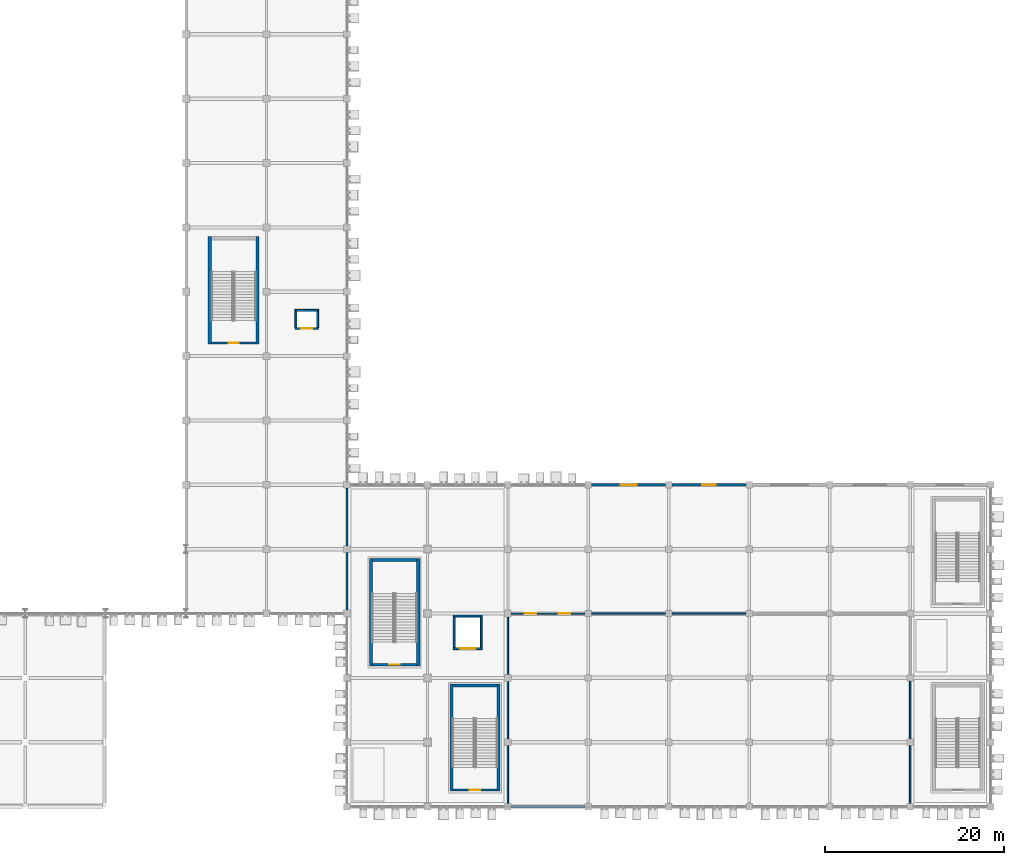
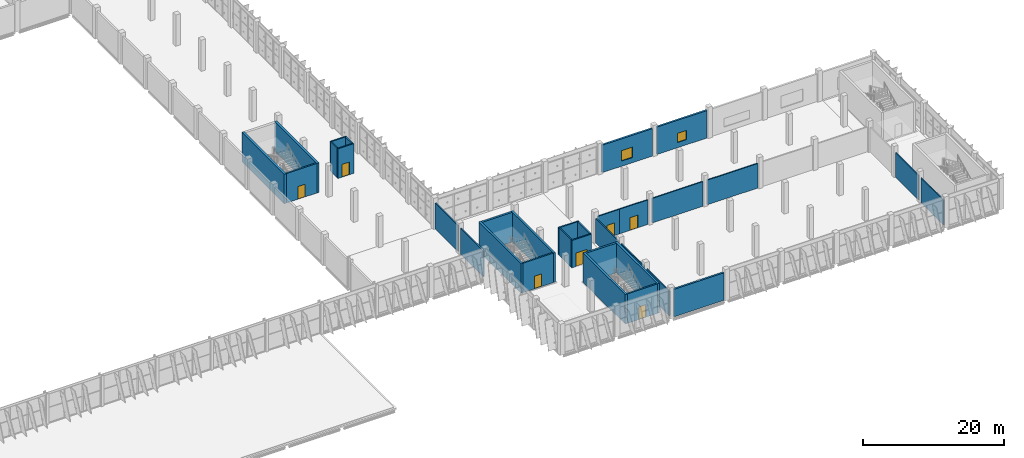
# One storey, part 135 of 189: 33 walls, 7 doors, 2 windows, 9 openings.
"""IFC4 building model written with IfcOpenShell, lengths in metres."""

import ifcopenshell
import ifcopenshell.guid

model = None  # the IFC model being written
_history = None  # IfcOwnerHistory: only IFC2X3 demands one
_inside = {}  # id of a spatial element -> (the spatial element, [elements in it])
_under = {}  # id of a project, library or spatial element -> (it, [spatial elements below it])
_declared = {}  # id of a project -> (the project, [libraries it declares])
_typed = {}  # id of a type object -> (the type object, [elements of that type])
_made_of = {}  # id of a material, layer set ... -> (it, [elements and type objects made of it])


def new_model(schema):
    """Start an empty IFC model of exactly this schema.

    Asked for "IFC4X3", IfcOpenShell would pick the latest addendum, in which some entities
    have other attributes; the version numbers below select the first issue.
    IFC2X3 requires an IfcOwnerHistory on every rooted entity: one is made here for all.
    """
    global model, _history
    if schema == "IFC4X3":
        model = ifcopenshell.file(schema_version=(4, 3, 0, 0))
    else:
        model = ifcopenshell.file(schema=schema)
    _inside.clear()
    _under.clear()
    _declared.clear()
    _typed.clear()
    _made_of.clear()
    _history = None
    if model.schema == "IFC2X3":
        org = make("IfcOrganization", Name="unknown")
        user = make(
            "IfcPersonAndOrganization",
            ThePerson=make("IfcPerson", FamilyName="unknown"),
            TheOrganization=org,
        )
        app = make(
            "IfcApplication",
            ApplicationDeveloper=org,
            Version="unknown",
            ApplicationFullName="unknown",
            ApplicationIdentifier="unknown",
        )
        _history = make(
            "IfcOwnerHistory",
            OwningUser=user,
            OwningApplication=app,
            ChangeAction="ADDED",
            CreationDate=0,
        )
    return model


def make(cls, **values):
    """One entity of the class cls with the attributes given. An attribute that is None is left unset."""
    return model.create_entity(
        cls, **{name: value for name, value in values.items() if value is not None}
    )


def rooted(cls, **values):
    """An entity with a GlobalId (a new one), such as an element, a storey or a relation."""
    return make(cls, GlobalId=ifcopenshell.guid.new(), OwnerHistory=_history, **values)


def si_unit(unit_type, name, prefix=None):
    """IfcSIUnit, for example si_unit("LENGTHUNIT", "METRE", prefix="MILLI")."""
    return make("IfcSIUnit", UnitType=unit_type, Prefix=prefix, Name=name)


def assignment(units):
    """IfcUnitAssignment: the units of a project."""
    return None if units is None else make("IfcUnitAssignment", Units=units)


def point(xyz):
    """IfcCartesianPoint."""
    return None if xyz is None else make("IfcCartesianPoint", Coordinates=xyz)


def direction(xyz):
    """IfcDirection."""
    return None if xyz is None else make("IfcDirection", DirectionRatios=xyz)


def frame(location, z_axis=None, x_axis=None):
    """IfcAxis2Placement3D, a coordinate frame: its origin and axes. An axis left out is left unset."""
    return make(
        "IfcAxis2Placement3D",
        Location=point(location),
        Axis=direction(z_axis),
        RefDirection=direction(x_axis),
    )


def frame_2d(location, x_axis=None):
    """IfcAxis2Placement2D, a coordinate frame in the plane: its origin and x axis."""
    return make(
        "IfcAxis2Placement2D", Location=point(location), RefDirection=direction(x_axis)
    )


def origin():
    """The frame at (0, 0, 0) with its axes left unset."""
    return frame((0.0, 0.0, 0.0))


def place(relative_to, where):
    """IfcLocalPlacement: puts the frame where relative to a parent placement (None: the world)."""
    return make(
        "IfcLocalPlacement", PlacementRelTo=relative_to, RelativePlacement=where
    )


def context(
    kind, dimensions, precision=None, world=None, true_north=None, identifier=None
):
    """IfcGeometricRepresentationContext, for example the 3D "Model" context."""
    return make(
        "IfcGeometricRepresentationContext",
        ContextIdentifier=identifier,
        ContextType=kind,
        CoordinateSpaceDimension=dimensions,
        Precision=precision,
        WorldCoordinateSystem=world,
        TrueNorth=true_north,
    )


def subcontext(parent, identifier, kind, view, scale=None):
    """IfcGeometricRepresentationSubContext, for example "Body" below "Model"."""
    return make(
        "IfcGeometricRepresentationSubContext",
        ContextIdentifier=identifier,
        ContextType=kind,
        ParentContext=parent,
        TargetScale=scale,
        TargetView=view,
    )


def project(units=None, contexts=None):
    """IfcProject with its units and contexts."""
    return rooted(
        "IfcProject",
        Name="project",
        RepresentationContexts=contexts,
        UnitsInContext=assignment(units),
    )


def spatial(cls, under=None, at=None, **own):
    """A site, building, storey or space (cls), placed at a placement, below another one or the project."""
    s = rooted(cls, ObjectPlacement=at, **own)
    if under is not None:
        _under.setdefault(under.id(), (under, []))[1].append(s)
    return s


def profile(cls, at=None, kind="AREA", **sizes):
    """A parametric profile (cls). Its sizes go by their IFC names, for example OverallWidth=200.0."""
    return make(cls, ProfileType=kind, Position=at, **sizes)


def rectangle(**sizes):
    """IfcRectangleProfileDef."""
    return profile("IfcRectangleProfileDef", **sizes)


def extrude(swept, where, along, depth):
    """IfcExtrudedAreaSolid: the profile swept, set in the frame where, extruded along a direction by depth."""
    return make(
        "IfcExtrudedAreaSolid",
        SweptArea=swept,
        Position=where,
        ExtrudedDirection=direction(along),
        Depth=depth,
    )


def shape(context_of_items, identifier, shape_type, items):
    """IfcShapeRepresentation: the items that make up one representation, for example the "Body"."""
    return make(
        "IfcShapeRepresentation",
        ContextOfItems=context_of_items,
        RepresentationIdentifier=identifier,
        RepresentationType=shape_type,
        Items=items,
    )


def material(Name=None, Category=None):
    """IfcMaterial."""
    return make("IfcMaterial", Name=Name, Category=Category)


def layer(
    of_material, thickness, ventilated=None, Name=None, Category=None, Priority=None
):
    """IfcMaterialLayer: one layer of a wall or slab, of a material (None: an air gap)."""
    return make(
        "IfcMaterialLayer",
        Material=of_material,
        LayerThickness=thickness,
        IsVentilated=ventilated,
        Name=Name,
        Category=Category,
        Priority=Priority,
    )


def layer_set(layers, Name=None):
    """IfcMaterialLayerSet."""
    return make("IfcMaterialLayerSet", MaterialLayers=layers, LayerSetName=Name)


def made_of(thing, what):
    """Note that an element or type object is made of a material, layer set ...; save() writes the relation."""
    if what is not None:
        _made_of.setdefault(what.id(), (what, []))[1].append(thing)
    return thing


def type_object(cls, material=None, **own):
    """A type object (cls), such as IfcWallType, which elements share."""
    return made_of(rooted(cls, **own), material)


def element(
    cls,
    number,
    at=None,
    inside=None,
    cuts=None,
    type_object=None,
    material=None,
    context=None,
    identifier="Body",
    shape_type=None,
    held_by="IfcProductDefinitionShape",
    body=None,
    shapes=None,
    **own,
):
    """One element of the class cls, such as IfcWall. Its Tag is "e" and its number.

    at: its placement. inside: the storey or other place that contains it. cuts: it is an
    opening in that element (IfcRelVoidsElement). A single representation is given by context,
    identifier, shape_type and body (its items); several are given by shapes. held_by: the class
    of the entity that holds the representations. save() writes the other relations.
    """
    e = rooted(cls, Tag="e%d" % number, ObjectPlacement=at, **own)
    if body is not None:
        shapes = [shape(context, identifier, shape_type, body)]
    if shapes is not None:
        e.Representation = make(held_by, Representations=shapes)
    if inside is not None:
        _inside.setdefault(inside.id(), (inside, []))[1].append(e)
    if cuts is not None:
        rooted(
            "IfcRelVoidsElement", RelatingBuildingElement=cuts, RelatedOpeningElement=e
        )
    if type_object is not None:
        _typed.setdefault(type_object.id(), (type_object, []))[1].append(e)
    return made_of(e, material)


def fill(opening, filler):
    """IfcRelFillsElement: the door or window that sits in an opening."""
    return rooted(
        "IfcRelFillsElement",
        RelatingOpeningElement=opening,
        RelatedBuildingElement=filler,
    )


def aggregate(whole, parts):
    """IfcRelAggregates: a whole, such as a stair, and the parts it consists of."""
    return rooted("IfcRelAggregates", RelatingObject=whole, RelatedObjects=parts)


def save(model, path):
    """Write the relations noted so far, then the file.

    IfcRelAggregates (storeys below a building ...), IfcRelContainedInSpatialStructure (elements
    in a storey), IfcRelDefinesByType, IfcRelAssociatesMaterial and IfcRelDeclares: one each for
    every whole, place, type object, material and project.
    """
    for whole, parts in _under.values():
        aggregate(whole, parts)
    for where, things in _inside.values():
        rooted(
            "IfcRelContainedInSpatialStructure",
            RelatedElements=things,
            RelatingStructure=where,
        )
    for kind, things in _typed.values():
        rooted("IfcRelDefinesByType", RelatedObjects=things, RelatingType=kind)
    for what, things in _made_of.values():
        rooted("IfcRelAssociatesMaterial", RelatedObjects=things, RelatingMaterial=what)
    for by, libraries in _declared.values():
        rooted("IfcRelDeclares", RelatingContext=by, RelatedDefinitions=libraries)
    model.write(path)


model = new_model("IFC4")

# Units and contexts
model_context = context("Model", 3, precision=1e-05, world=origin(), true_north=direction((0.0, 1.0)))
body_context = subcontext(model_context, "Body", "Model", "MODEL_VIEW")
ifc_project = project(units=[si_unit("LENGTHUNIT", "METRE"), si_unit("AREAUNIT", "SQUARE_METRE"), si_unit("VOLUMEUNIT", "CUBIC_METRE"), si_unit("PLANEANGLEUNIT", "RADIAN"), si_unit("MASSUNIT", "GRAM", prefix="KILO")], contexts=[model_context])

# Site, building, storey
site_placement = place(None, origin())
site = spatial("IfcSite", under=ifc_project, at=site_placement, CompositionType="ELEMENT")
building_placement = place(site_placement, origin())
building = spatial("IfcBuilding", under=site, at=building_placement, Name="Celestram Park Convention Centre", CompositionType="ELEMENT")
storey_placement = place(building_placement, frame((0.0, 0.0, 5.39990234375)))
storey = spatial("IfcBuildingStorey", under=building, at=storey_placement, Name="L01", CompositionType="ELEMENT", Elevation=5.39990234375)

# Walls
ifc_material_1 = material(Name="Double-Stud Acoustic Gypsum Assembly", Category="gypsum")
ifc_layer_1 = layer(ifc_material_1, 0.199951171875)
ifc_layer_set_1 = layer_set([ifc_layer_1], Name="Double-Stud Acoustic Gypsum Assembly")
wall_type_1 = type_object("IfcWallType", Name="ARC-WL-ACO200", PredefinedType="PARTITIONING", material=ifc_layer_set_1)
wall_1_placement = place(storey_placement, frame((144.0, 21.972900390625, 0.0), z_axis=(0.0, 0.0, 1.0), x_axis=(0.0, 1.0, 0.0)))
element("IfcWall", 1, at=wall_1_placement, inside=storey, type_object=wall_type_1, Name="Interior partition WL-L01-IN0771", PredefinedType="PARTITIONING", context=body_context, shape_type="SweptSolid", body=[
    extrude(rectangle(XDim=6.4541015625, YDim=0.199951171875, at=frame_2d((3.22705078125, 0.0))), origin(), (0.0, 0.0, 1.0), 4.508056640625),
])
wall_2_placement = place(storey_placement, frame((144.0, 29.173095703125, 0.0), z_axis=(0.0, 0.0, 1.0), x_axis=(0.0, 1.0, 0.0)))
element("IfcWall", 2, at=wall_2_placement, inside=storey, type_object=wall_type_1, Name="Interior partition WL-L01-IN0772", PredefinedType="PARTITIONING", context=body_context, shape_type="SweptSolid", body=[
    extrude(rectangle(XDim=6.453857421875, YDim=0.199951171875, at=frame_2d((3.22705078125, 0.0))), origin(), (0.0, 0.0, 1.0), 4.508056640625),
])

# Wall, opening, door
ifc_material_2 = material(Name="Concrete Block Masonry C25/30", Category="masonry")
ifc_layer_2 = layer(ifc_material_2, 0.25)
ifc_layer_set_2 = layer_set([ifc_layer_2], Name="Concrete Block Masonry C25/30")
wall_type_2 = type_object("IfcWallType", Name="ARC-WL-COR250", PredefinedType="STANDARD", material=ifc_layer_set_2)
wall_3_placement = place(storey_placement, frame((128.840087890625, 51.875, 0.0), z_axis=(0.0, 0.0, 1.0), x_axis=(1.0, 0.0, 0.0)))
wall_3 = element("IfcWall", 3, at=wall_3_placement, inside=storey, type_object=wall_type_2, Name="Core C4 stair entrance wall", PredefinedType="STANDARD", context=body_context, shape_type="SweptSolid", body=[
    extrude(rectangle(XDim=4.9599609375, YDim=0.25, at=frame_2d((2.47998046875, 0.0))), origin(), (0.0, 0.0, 1.0), 5.1201171875),
])
opening_1_placement = place(wall_3_placement, frame((1.905029296875, 0.0, 0.0)))
opening_1 = element("IfcOpeningElement", 4, at=opening_1_placement, cuts=wall_3, Name="Opening D-ST1", PredefinedType="OPENING", context=body_context, shape_type="SweptSolid", body=[
    extrude(rectangle(XDim=1.14990234375, YDim=2.199951171875, at=frame_2d((0.574951171875, 1.10009765625))), frame((0.0, 0.135009765625, 0.0), z_axis=(0.0, -1.0, 0.0), x_axis=(1.0, 0.0, 0.0)), (0.0, 0.0, 1.0), 0.27001953125),
])
ifc_material_3 = material(Name="Fire-Rated Hollow Metal Steel ASTM A653", Category="steel")
door_type_1 = type_object("IfcDoorType", Name="ARC-DR-ST115", OperationType="NOTDEFINED", PredefinedType="DOOR", material=ifc_material_3)
door_1_placement = place(opening_1_placement, origin())
door_1 = element("IfcDoor", 5, at=door_1_placement, inside=storey, type_object=door_type_1, Name="Exit stair ST-04 fire door", OperationType="SINGLE_SWING_LEFT", OverallHeight=2.199951171875, OverallWidth=1.14990234375, PredefinedType="DOOR", context=body_context, shape_type="SweptSolid", body=[
    extrude(rectangle(XDim=1.14990234375, YDim=2.199951171875, at=frame_2d((0.574951171875, 1.10009765625))), frame((0.0, 0.02490234375, 0.0), z_axis=(0.0, -1.0, 0.0), x_axis=(1.0, 0.0, 0.0)), (0.0, 0.0, 1.0), 0.050048828125),
])
fill(opening_1, door_1)

wall_4_placement = place(storey_placement, frame((146.840087890625, 15.875, 0.0), z_axis=(0.0, 0.0, 1.0), x_axis=(1.0, 0.0, 0.0)))
wall_4 = element("IfcWall", 6, at=wall_4_placement, inside=storey, type_object=wall_type_2, Name="Core C6 stair entrance wall", PredefinedType="STANDARD", context=body_context, shape_type="SweptSolid", body=[
    extrude(rectangle(XDim=4.9599609375, YDim=0.25, at=frame_2d((2.47998046875, 0.0))), origin(), (0.0, 0.0, 1.0), 5.1201171875),
])
opening_2_placement = place(wall_4_placement, frame((1.905029296875, 0.0, 0.0)))
opening_2 = element("IfcOpeningElement", 7, at=opening_2_placement, cuts=wall_4, Name="Opening D-ST1", PredefinedType="OPENING", context=body_context, shape_type="SweptSolid", body=[
    extrude(rectangle(XDim=1.14990234375, YDim=2.199951171875, at=frame_2d((0.574951171875, 1.10009765625))), frame((0.0, 0.135009765625, 0.0), z_axis=(0.0, -1.0, 0.0), x_axis=(1.0, 0.0, 0.0)), (0.0, 0.0, 1.0), 0.27001953125),
])
door_2_placement = place(opening_2_placement, origin())
door_2 = element("IfcDoor", 8, at=door_2_placement, inside=storey, type_object=door_type_1, Name="Exit stair ST-06 fire door", OperationType="SINGLE_SWING_LEFT", OverallHeight=2.199951171875, OverallWidth=1.14990234375, PredefinedType="DOOR", context=body_context, shape_type="SweptSolid", body=[
    extrude(rectangle(XDim=1.14990234375, YDim=2.199951171875, at=frame_2d((0.574951171875, 1.10009765625))), frame((0.0, 0.02490234375, 0.0), z_axis=(0.0, -1.0, 0.0), x_axis=(1.0, 0.0, 0.0)), (0.0, 0.0, 1.0), 0.050048828125),
])
fill(opening_2, door_2)

wall_5_placement = place(storey_placement, frame((155.840087890625, 1.875, 0.0), z_axis=(0.0, 0.0, 1.0), x_axis=(1.0, 0.0, 0.0)))
wall_5 = element("IfcWall", 9, at=wall_5_placement, inside=storey, type_object=wall_type_2, Name="Core S21 stair entrance wall", PredefinedType="STANDARD", context=body_context, shape_type="SweptSolid", body=[
    extrude(rectangle(XDim=4.9599609375, YDim=0.25, at=frame_2d((2.47998046875, 0.0))), origin(), (0.0, 0.0, 1.0), 5.1201171875),
])
opening_3_placement = place(wall_5_placement, frame((1.905029296875, 0.0, 0.0)))
opening_3 = element("IfcOpeningElement", 10, at=opening_3_placement, cuts=wall_5, Name="Opening D-ST1", PredefinedType="OPENING", context=body_context, shape_type="SweptSolid", body=[
    extrude(rectangle(XDim=1.14990234375, YDim=2.199951171875, at=frame_2d((0.574951171875, 1.10009765625))), frame((0.0, 0.135009765625, 0.0), z_axis=(0.0, -1.0, 0.0), x_axis=(1.0, 0.0, 0.0)), (0.0, 0.0, 1.0), 0.27001953125),
])
door_3_placement = place(opening_3_placement, origin())
door_3 = element("IfcDoor", 11, at=door_3_placement, inside=storey, type_object=door_type_1, Name="Exit stair ST-21 fire door", OperationType="SINGLE_SWING_LEFT", OverallHeight=2.199951171875, OverallWidth=1.14990234375, PredefinedType="DOOR", context=body_context, shape_type="SweptSolid", body=[
    extrude(rectangle(XDim=1.14990234375, YDim=2.199951171875, at=frame_2d((0.574951171875, 1.10009765625))), frame((0.0, 0.02490234375, 0.0), z_axis=(0.0, -1.0, 0.0), x_axis=(1.0, 0.0, 0.0)), (0.0, 0.0, 1.0), 0.050048828125),
])
fill(opening_3, door_3)

# Wall, opening, window
ifc_material_4 = material(Name="Precast Concrete C40/50", Category="concrete")
ifc_layer_3 = layer(ifc_material_4, 0.300048828125)
ifc_layer_set_3 = layer_set([ifc_layer_3], Name="Precast Concrete C40/50")
wall_type_3 = type_object("IfcWallType", Name="ARC-WL-EXT300", PredefinedType="STANDARD", material=ifc_layer_set_3)
wall_6_placement = place(storey_placement, frame((171.373046875, 36.0, 0.0), z_axis=(0.0, 0.0, 1.0), x_axis=(1.0, 0.0, 0.0)))
wall_6 = element("IfcWall", 12, at=wall_6_placement, inside=storey, type_object=wall_type_3, Name="Bush-hammered precast exterior wall WL-L01-EW113", PredefinedType="STANDARD", context=body_context, shape_type="SweptSolid", body=[
    extrude(rectangle(XDim=8.25390625, YDim=0.300048828125, at=frame_2d((4.126953125, 0.0))), origin(), (0.0, 0.0, 1.0), 4.76416015625),
])
opening_4_placement = place(wall_6_placement, frame((3.22705078125, 0.0, 0.89990234375)))
opening_4 = element("IfcOpeningElement", 13, at=opening_4_placement, cuts=wall_6, Name="Opening W-06", PredefinedType="OPENING", context=body_context, shape_type="SweptSolid", body=[
    extrude(rectangle(XDim=1.800048828125, YDim=1.800048828125, at=frame_2d((0.89990234375, 0.89990234375))), frame((0.0, 0.159912109375, 0.0), z_axis=(0.0, -1.0, 0.0), x_axis=(1.0, 0.0, 0.0)), (0.0, 0.0, 1.0), 0.320068359375),
])
ifc_material_5 = material(Name="Thermally Broken Aluminium & Triple Glazing", Category="aluminium")
window_type_1 = type_object("IfcWindowType", Name="ARC-WN-180X180", PartitioningType="SINGLE_PANEL", PredefinedType="WINDOW", material=ifc_material_5)
window_1_placement = place(opening_4_placement, origin())
window_1 = element("IfcWindow", 14, at=window_1_placement, inside=storey, type_object=window_type_1, Name="Punched exterior window WN-L01-030", OverallHeight=1.800048828125, OverallWidth=1.800048828125, PartitioningType="SINGLE_PANEL", PredefinedType="WINDOW", context=body_context, shape_type="SweptSolid", body=[
    extrude(rectangle(XDim=1.800048828125, YDim=1.800048828125, at=frame_2d((0.89990234375, 0.89990234375))), frame((0.0, 0.030029296875, 0.0), z_axis=(0.0, -1.0, 0.0), x_axis=(1.0, 0.0, 0.0)), (0.0, 0.0, 1.0), 0.06005859375),
])
fill(opening_4, window_1)

wall_7_placement = place(storey_placement, frame((180.373046875, 36.0, 0.0), z_axis=(0.0, 0.0, 1.0), x_axis=(1.0, 0.0, 0.0)))
wall_7 = element("IfcWall", 15, at=wall_7_placement, inside=storey, type_object=wall_type_3, Name="Bush-hammered precast exterior wall WL-L01-EW114", PredefinedType="STANDARD", context=body_context, shape_type="SweptSolid", body=[
    extrude(rectangle(XDim=8.25390625, YDim=0.300048828125, at=frame_2d((4.126953125, 0.0))), origin(), (0.0, 0.0, 1.0), 4.76416015625),
])
opening_5_placement = place(wall_7_placement, frame((3.376953125, 0.0, 0.89990234375)))
opening_5 = element("IfcOpeningElement", 16, at=opening_5_placement, cuts=wall_7, Name="Opening W-07", PredefinedType="OPENING", context=body_context, shape_type="SweptSolid", body=[
    extrude(rectangle(XDim=1.5, YDim=1.60009765625, at=frame_2d((0.75, 0.800048828125))), frame((0.0, 0.159912109375, 0.0), z_axis=(0.0, -1.0, 0.0), x_axis=(1.0, 0.0, 0.0)), (0.0, 0.0, 1.0), 0.320068359375),
])
window_type_2 = type_object("IfcWindowType", Name="ARC-WN-150X160", PartitioningType="SINGLE_PANEL", PredefinedType="WINDOW", material=ifc_material_5)
window_2_placement = place(opening_5_placement, origin())
window_2 = element("IfcWindow", 17, at=window_2_placement, inside=storey, type_object=window_type_2, Name="Punched exterior window WN-L01-031", OverallHeight=1.60009765625, OverallWidth=1.5, PartitioningType="SINGLE_PANEL", PredefinedType="WINDOW", context=body_context, shape_type="SweptSolid", body=[
    extrude(rectangle(XDim=1.5, YDim=1.60009765625, at=frame_2d((0.75, 0.800048828125))), frame((0.0, 0.030029296875, 0.0), z_axis=(0.0, -1.0, 0.0), x_axis=(1.0, 0.0, 0.0)), (0.0, 0.0, 1.0), 0.06005859375),
])
fill(opening_5, window_2)

# Wall
wall_8_placement = place(storey_placement, frame((170.626953125, 0.0, 0.0), z_axis=(0.0, 0.0, 1.0), x_axis=(-1.0, 0.0, 0.0)))
element("IfcWall", 18, at=wall_8_placement, inside=storey, type_object=wall_type_3, Name="Bush-hammered precast exterior wall WL-L01-EW118", PredefinedType="STANDARD", context=body_context, shape_type="SweptSolid", body=[
    extrude(rectangle(XDim=8.25390625, YDim=0.300048828125, at=frame_2d((4.126953125, 0.0))), origin(), (0.0, 0.0, 1.0), 4.76416015625),
])

# Wall, opening, door
ifc_material_6 = material(Name="Fire-Rated Gypsum & Steel Stud 180 mm", Category="steel")
ifc_layer_4 = layer(ifc_material_6, 0.179931640625)
ifc_layer_set_4 = layer_set([ifc_layer_4], Name="Fire-Rated Gypsum & Steel Stud 180 mm")
wall_type_4 = type_object("IfcWallType", Name="ARC-WL-PRT180", PredefinedType="PARTITIONING", material=ifc_layer_set_4)
wall_9_placement = place(storey_placement, frame((162.373046875, 21.60009765625, 0.0), z_axis=(0.0, 0.0, 1.0), x_axis=(1.0, 0.0, 0.0)))
wall_9 = element("IfcWall", 19, at=wall_9_placement, inside=storey, type_object=wall_type_4, Name="Interior partition WL-L01-IN0688", PredefinedType="PARTITIONING", context=body_context, shape_type="SweptSolid", body=[
    extrude(rectangle(XDim=3.626953125, YDim=0.179931640625, at=frame_2d((1.8134765625, 0.0))), origin(), (0.0, 0.0, 1.0), 4.26416015625),
])
opening_6_placement = place(wall_9_placement, frame((1.5126953125, 0.0, 0.0)))
opening_6 = element("IfcOpeningElement", 20, at=opening_6_placement, cuts=wall_9, Name="Opening D-10", PredefinedType="OPENING", context=body_context, shape_type="SweptSolid", body=[
    extrude(rectangle(XDim=1.300048828125, YDim=2.199951171875, at=frame_2d((0.64990234375, 1.10009765625))), frame((0.0, 0.099853515625, 0.0), z_axis=(0.0, -1.0, 0.0), x_axis=(1.0, 0.0, 0.0)), (0.0, 0.0, 1.0), 0.199951171875),
])
ifc_material_7 = material(Name="Hollow Metal Catering Service Door", Category="steel")
door_type_2 = type_object("IfcDoorType", Name="ARC-DR-SRV130", OperationType="NOTDEFINED", PredefinedType="DOOR", material=ifc_material_7)
door_4_placement = place(opening_6_placement, origin())
door_4 = element("IfcDoor", 21, at=door_4_placement, inside=storey, type_object=door_type_2, Name="Main Banquet Kitchen entrance door", OperationType="SINGLE_SWING_LEFT", OverallHeight=2.199951171875, OverallWidth=1.300048828125, PredefinedType="DOOR", context=body_context, shape_type="SweptSolid", body=[
    extrude(rectangle(XDim=1.300048828125, YDim=2.199951171875, at=frame_2d((0.64990234375, 1.10009765625))), frame((0.0, 0.02490234375, 0.0), z_axis=(0.0, -1.0, 0.0), x_axis=(1.0, 0.0, 0.0)), (0.0, 0.0, 1.0), 0.050048828125),
])
fill(opening_6, door_4)

wall_10_placement = place(storey_placement, frame((166.0, 21.60009765625, 0.0), z_axis=(0.0, 0.0, 1.0), x_axis=(1.0, 0.0, 0.0)))
wall_10 = element("IfcWall", 22, at=wall_10_placement, inside=storey, type_object=wall_type_4, Name="Interior partition WL-L01-IN0689", PredefinedType="PARTITIONING", context=body_context, shape_type="SweptSolid", body=[
    extrude(rectangle(XDim=4.652099609375, YDim=0.179931640625, at=frame_2d((2.326171875, 0.0))), origin(), (0.0, 0.0, 1.0), 4.26416015625),
])
opening_7_placement = place(wall_10_placement, frame((1.676025390625, 0.0, 0.0)))
opening_7 = element("IfcOpeningElement", 23, at=opening_7_placement, cuts=wall_10, Name="Opening D-10", PredefinedType="OPENING", context=body_context, shape_type="SweptSolid", body=[
    extrude(rectangle(XDim=1.300048828125, YDim=2.199951171875, at=frame_2d((0.64990234375, 1.10009765625))), frame((0.0, 0.099853515625, 0.0), z_axis=(0.0, -1.0, 0.0), x_axis=(1.0, 0.0, 0.0)), (0.0, 0.0, 1.0), 0.199951171875),
])
door_5_placement = place(opening_7_placement, origin())
door_5 = element("IfcDoor", 24, at=door_5_placement, inside=storey, type_object=door_type_2, Name="Main Banquet Kitchen entrance door", OperationType="SINGLE_SWING_RIGHT", OverallHeight=2.199951171875, OverallWidth=1.300048828125, PredefinedType="DOOR", context=body_context, shape_type="SweptSolid", body=[
    extrude(rectangle(XDim=1.300048828125, YDim=2.199951171875, at=frame_2d((0.64990234375, 1.10009765625))), frame((0.0, 0.02490234375, 0.0), z_axis=(0.0, -1.0, 0.0), x_axis=(1.0, 0.0, 0.0)), (0.0, 0.0, 1.0), 0.050048828125),
])
fill(opening_7, door_5)

# Walls
for number, where, z_axis, x_axis, name in (
    (25, (171.347900390625, 21.60009765625, 0.0), (0.0, 0.0, 1.0), (1.0, 0.0, 0.0), "Interior partition WL-L01-IN0690"),
    (26, (180.347900390625, 21.60009765625, 0.0), (0.0, 0.0, 1.0), (1.0, 0.0, 0.0), "Interior partition WL-L01-IN0691"),
):
    element("IfcWall", number, at=place(storey_placement, frame(where, z_axis=z_axis, x_axis=x_axis)), inside=storey, type_object=wall_type_4, Name=name, PredefinedType="PARTITIONING", context=body_context, shape_type="SweptSolid", body=[
        extrude(rectangle(XDim=8.30419921875, YDim=0.179931640625, at=frame_2d((4.152099609375, 0.0))), origin(), (0.0, 0.0, 1.0), 4.26416015625),
    ])
wall_11_placement = place(storey_placement, frame((162.0, 0.373046875, 0.0), z_axis=(0.0, 0.0, 1.0), x_axis=(0.0, 1.0, 0.0)))
element("IfcWall", 27, at=wall_11_placement, inside=storey, type_object=wall_type_4, Name="Interior partition WL-L01-IN0780", PredefinedType="PARTITIONING", context=body_context, shape_type="SweptSolid", body=[
    extrude(rectangle(XDim=6.453857421875, YDim=0.179931640625, at=frame_2d((3.22705078125, 0.0))), origin(), (0.0, 0.0, 1.0), 4.26416015625),
])
for number, where, z_axis, x_axis, name in (
    (28, (162.0, 7.572998046875, 0.0), (0.0, 0.0, 1.0), (0.0, 1.0, 0.0), "Interior partition WL-L01-IN0781"),
    (29, (162.0, 14.77294921875, 0.0), (0.0, 0.0, 1.0), (0.0, 1.0, 0.0), "Interior partition WL-L01-IN0782"),
):
    element("IfcWall", number, at=place(storey_placement, frame(where, z_axis=z_axis, x_axis=x_axis)), inside=storey, type_object=wall_type_4, Name=name, PredefinedType="PARTITIONING", context=body_context, shape_type="SweptSolid", body=[
        extrude(rectangle(XDim=6.4541015625, YDim=0.179931640625, at=frame_2d((3.22705078125, 0.0))), origin(), (0.0, 0.0, 1.0), 4.26416015625),
    ])
wall_12_placement = place(storey_placement, frame((207.0, 0.373046875, 0.0), z_axis=(0.0, 0.0, 1.0), x_axis=(0.0, 1.0, 0.0)))
element("IfcWall", 30, at=wall_12_placement, inside=storey, type_object=wall_type_4, Name="Interior partition WL-L01-IN0783", PredefinedType="PARTITIONING", context=body_context, shape_type="SweptSolid", body=[
    extrude(rectangle(XDim=6.47900390625, YDim=0.179931640625, at=frame_2d((3.239501953125, 0.0))), origin(), (0.0, 0.0, 1.0), 4.26416015625),
])
wall_13_placement = place(storey_placement, frame((207.0, 7.548095703125, 0.0), z_axis=(0.0, 0.0, 1.0), x_axis=(0.0, 1.0, 0.0)))
element("IfcWall", 31, at=wall_13_placement, inside=storey, type_object=wall_type_4, Name="Interior partition WL-L01-IN0784", PredefinedType="PARTITIONING", context=body_context, shape_type="SweptSolid", body=[
    extrude(rectangle(XDim=6.50390625, YDim=0.179931640625, at=frame_2d((3.251953125, 0.0))), origin(), (0.0, 0.0, 1.0), 4.26416015625),
])

# Wall, opening, door
ifc_layer_5 = layer(ifc_material_2, 0.219970703125)
ifc_layer_set_5 = layer_set([ifc_layer_5], Name="Concrete Block Masonry C25/30")
wall_type_5 = type_object("IfcWallType", Name="ARC-WL-SHF220", PredefinedType="STANDARD", material=ifc_layer_set_5)
wall_14_placement = place(storey_placement, frame((138.169921875, 53.47998046875, 0.0), z_axis=(0.0, 0.0, 1.0), x_axis=(1.0, 0.0, 0.0)))
wall_14 = element("IfcWall", 32, at=wall_14_placement, inside=storey, type_object=wall_type_5, Name="Lift LP-05 shaft wall S", PredefinedType="STANDARD", context=body_context, shape_type="SweptSolid", body=[
    extrude(rectangle(XDim=2.66015625, YDim=0.219970703125, at=frame_2d((1.330078125, 0.0))), origin(), (0.0, 0.0, 1.0), 5.1201171875),
])
opening_8_placement = place(wall_14_placement, frame((0.72998046875, 0.0, 0.0)))
opening_8 = element("IfcOpeningElement", 33, at=opening_8_placement, cuts=wall_14, Name="Opening LD-01", PredefinedType="OPENING", context=body_context, shape_type="SweptSolid", body=[
    extrude(rectangle(XDim=1.199951171875, YDim=2.199951171875, at=frame_2d((0.60009765625, 1.10009765625))), frame((0.0, 0.119873046875, 0.0), z_axis=(0.0, -1.0, 0.0), x_axis=(1.0, 0.0, 0.0)), (0.0, 0.0, 1.0), 0.239990234375),
])
ifc_material_8 = material(Name="Brushed Stainless Steel AISI 304", Category="steel")
door_type_3 = type_object("IfcDoorType", Name="ARC-DR-LFT120", OperationType="NOTDEFINED", PredefinedType="DOOR", material=ifc_material_8)
door_6_placement = place(opening_8_placement, origin())
door_6 = element("IfcDoor", 34, at=door_6_placement, inside=storey, type_object=door_type_3, Name="Lift LP-05 sliding landing door", OperationType="DOUBLE_DOOR_SLIDING", OverallHeight=2.199951171875, OverallWidth=1.199951171875, PredefinedType="DOOR", context=body_context, shape_type="SweptSolid", body=[
    extrude(rectangle(XDim=1.199951171875, YDim=2.199951171875, at=frame_2d((0.60009765625, 1.10009765625))), frame((0.0, 0.02490234375, 0.0), z_axis=(0.0, -1.0, 0.0), x_axis=(1.0, 0.0, 0.0)), (0.0, 0.0, 1.0), 0.050048828125),
])
fill(opening_8, door_6)

# Walls
wall_15_placement = place(storey_placement, frame((140.830078125, 55.52001953125, 0.0), z_axis=(0.0, 0.0, 1.0), x_axis=(-1.0, 0.0, 0.0)))
element("IfcWall", 35, at=wall_15_placement, inside=storey, type_object=wall_type_5, Name="Lift LP-05 shaft wall N", PredefinedType="STANDARD", context=body_context, shape_type="SweptSolid", body=[
    extrude(rectangle(XDim=2.66015625, YDim=0.219970703125, at=frame_2d((1.330078125, 0.0))), origin(), (0.0, 0.0, 1.0), 5.1201171875),
])
for number, where, z_axis, x_axis, name in (
    (36, (138.280029296875, 55.409912109375, 0.0), (0.0, 0.0, 1.0), (0.0, -1.0, 0.0), "Lift LP-05 shaft wall W"),
    (37, (140.719970703125, 53.590087890625, 0.0), (0.0, 0.0, 1.0), (0.0, 1.0, 0.0), "Lift LP-05 shaft wall E"),
):
    element("IfcWall", number, at=place(storey_placement, frame(where, z_axis=z_axis, x_axis=x_axis)), inside=storey, type_object=wall_type_5, Name=name, PredefinedType="STANDARD", context=body_context, shape_type="SweptSolid", body=[
        extrude(rectangle(XDim=1.81982421875, YDim=0.219970703125, at=frame_2d((0.909912109375, 0.0))), origin(), (0.0, 0.0, 1.0), 5.1201171875),
    ])

# Wall, opening, door
wall_16_placement = place(storey_placement, frame((155.8701171875, 17.679931640625, 0.0), z_axis=(0.0, 0.0, 1.0), x_axis=(1.0, 0.0, 0.0)))
wall_16 = element("IfcWall", 38, at=wall_16_placement, inside=storey, type_object=wall_type_5, Name="Lift LG-02 shaft wall S", PredefinedType="STANDARD", context=body_context, shape_type="SweptSolid", body=[
    extrude(rectangle(XDim=3.259765625, YDim=0.219970703125, at=frame_2d((1.6298828125, 0.0))), origin(), (0.0, 0.0, 1.0), 4.76416015625),
])
opening_9_placement = place(wall_16_placement, frame((0.72998046875, 0.0, 0.0)))
opening_9 = element("IfcOpeningElement", 39, at=opening_9_placement, cuts=wall_16, Name="Opening LD-02", PredefinedType="OPENING", context=body_context, shape_type="SweptSolid", body=[
    extrude(rectangle(XDim=1.800048828125, YDim=2.35009765625, at=frame_2d((0.89990234375, 1.175048828125))), frame((0.0, 0.119873046875, 0.0), z_axis=(0.0, -1.0, 0.0), x_axis=(1.0, 0.0, 0.0)), (0.0, 0.0, 1.0), 0.239990234375),
])
ifc_material_9 = material(Name="Heavy-Duty Stainless Steel AISI 304", Category="steel")
door_type_4 = type_object("IfcDoorType", Name="ARC-DR-LFG180", OperationType="NOTDEFINED", PredefinedType="DOOR", material=ifc_material_9)
door_7_placement = place(opening_9_placement, origin())
door_7 = element("IfcDoor", 40, at=door_7_placement, inside=storey, type_object=door_type_4, Name="Lift LG-02 sliding landing door", OperationType="DOUBLE_DOOR_SLIDING", OverallHeight=2.35009765625, OverallWidth=1.800048828125, PredefinedType="DOOR", context=body_context, shape_type="SweptSolid", body=[
    extrude(rectangle(XDim=1.800048828125, YDim=2.35009765625, at=frame_2d((0.89990234375, 1.175048828125))), frame((0.0, 0.02490234375, 0.0), z_axis=(0.0, -1.0, 0.0), x_axis=(1.0, 0.0, 0.0)), (0.0, 0.0, 1.0), 0.050048828125),
])
fill(opening_9, door_7)

# Walls
wall_17_placement = place(storey_placement, frame((159.1298828125, 21.320068359375, 0.0), z_axis=(0.0, 0.0, 1.0), x_axis=(-1.0, 0.0, 0.0)))
element("IfcWall", 41, at=wall_17_placement, inside=storey, type_object=wall_type_5, Name="Lift LG-02 shaft wall N", PredefinedType="STANDARD", context=body_context, shape_type="SweptSolid", body=[
    extrude(rectangle(XDim=3.259765625, YDim=0.219970703125, at=frame_2d((1.6298828125, 0.0))), origin(), (0.0, 0.0, 1.0), 4.76416015625),
])
for number, where, z_axis, x_axis, name in (
    (42, (155.97998046875, 21.2099609375, 0.0), (0.0, 0.0, 1.0), (0.0, -1.0, 0.0), "Lift LG-02 shaft wall W"),
    (43, (159.02001953125, 17.7900390625, 0.0), (0.0, 0.0, 1.0), (0.0, 1.0, 0.0), "Lift LG-02 shaft wall E"),
):
    element("IfcWall", number, at=place(storey_placement, frame(where, z_axis=z_axis, x_axis=x_axis)), inside=storey, type_object=wall_type_5, Name=name, PredefinedType="STANDARD", context=body_context, shape_type="SweptSolid", body=[
        extrude(rectangle(XDim=3.419921875, YDim=0.219970703125, at=frame_2d((1.7099609375, 0.0))), origin(), (0.0, 0.0, 1.0), 4.76416015625),
    ])
ifc_material_10 = material(Name="Concrete C40/50", Category="concrete")
ifc_layer_6 = layer(ifc_material_10, 0.340087890625)
ifc_layer_set_6 = layer_set([ifc_layer_6], Name="Concrete C40/50")
wall_type_6 = type_object("IfcWallType", Name="STR-WL-SHR340", PredefinedType="SHEAR", material=ifc_layer_set_6)
for number, where, z_axis, x_axis, name in (
    (44, (146.669921875, 15.75, 0.0), (0.0, 0.0, 1.0), (0.0, 1.0, 0.0), "Core C6 shear wall L"),
    (45, (151.969970703125, 27.739990234375, 0.0), (0.0, 0.0, 1.0), (0.0, -1.0, 0.0), "Core C6 shear wall R"),
):
    element("IfcWall", number, at=place(storey_placement, frame(where, z_axis=z_axis, x_axis=x_axis)), inside=storey, type_object=wall_type_6, Name=name, PredefinedType="SHEAR", context=body_context, shape_type="SweptSolid", body=[
        extrude(rectangle(XDim=11.989990234375, YDim=0.340087890625, at=frame_2d((5.9951171875, 0.0))), origin(), (0.0, 0.0, 1.0), 5.1201171875),
    ])
wall_18_placement = place(storey_placement, frame((146.840087890625, 27.570068359375, 0.0), z_axis=(0.0, 0.0, 1.0), x_axis=(1.0, 0.0, 0.0)))
element("IfcWall", 46, at=wall_18_placement, inside=storey, type_object=wall_type_6, Name="Core C6 shear wall F", PredefinedType="SHEAR", context=body_context, shape_type="SweptSolid", body=[
    extrude(rectangle(XDim=4.9599609375, YDim=0.340087890625, at=frame_2d((2.47998046875, 0.0))), origin(), (0.0, 0.0, 1.0), 5.1201171875),
])
for number, where, z_axis, x_axis, name in (
    (47, (155.669921875, 1.75, 0.0), (0.0, 0.0, 1.0), (0.0, 1.0, 0.0), "Core S21 shear wall L"),
    (48, (160.969970703125, 13.739990234375, 0.0), (0.0, 0.0, 1.0), (0.0, -1.0, 0.0), "Core S21 shear wall R"),
):
    element("IfcWall", number, at=place(storey_placement, frame(where, z_axis=z_axis, x_axis=x_axis)), inside=storey, type_object=wall_type_6, Name=name, PredefinedType="SHEAR", context=body_context, shape_type="SweptSolid", body=[
        extrude(rectangle(XDim=11.989990234375, YDim=0.340087890625, at=frame_2d((5.9951171875, 0.0))), origin(), (0.0, 0.0, 1.0), 5.1201171875),
    ])
wall_19_placement = place(storey_placement, frame((155.840087890625, 13.570068359375, 0.0), z_axis=(0.0, 0.0, 1.0), x_axis=(1.0, 0.0, 0.0)))
element("IfcWall", 49, at=wall_19_placement, inside=storey, type_object=wall_type_6, Name="Core S21 shear wall F", PredefinedType="SHEAR", context=body_context, shape_type="SweptSolid", body=[
    extrude(rectangle(XDim=4.9599609375, YDim=0.340087890625, at=frame_2d((2.47998046875, 0.0))), origin(), (0.0, 0.0, 1.0), 5.1201171875),
])
ifc_layer_7 = layer(ifc_material_10, 0.3798828125)
ifc_layer_set_7 = layer_set([ifc_layer_7], Name="Concrete C40/50")
wall_type_7 = type_object("IfcWallType", Name="STR-WL-SHR380", PredefinedType="SHEAR", material=ifc_layer_set_7)
for number, where, z_axis, x_axis, name in (
    (50, (128.64990234375, 51.75, 0.0), (0.0, 0.0, 1.0), (0.0, 1.0, 0.0), "Core C4 shear wall L"),
    (51, (133.989990234375, 63.780029296875, 0.0), (0.0, 0.0, 1.0), (0.0, -1.0, 0.0), "Core C4 shear wall R"),
):
    element("IfcWall", number, at=place(storey_placement, frame(where, z_axis=z_axis, x_axis=x_axis)), inside=storey, type_object=wall_type_7, Name=name, PredefinedType="SHEAR", context=body_context, shape_type="SweptSolid", body=[
        extrude(rectangle(XDim=12.030029296875, YDim=0.3798828125, at=frame_2d((6.01513671875, 0.0))), origin(), (0.0, 0.0, 1.0), 5.1201171875),
    ])

save(model, "model.ifc")
